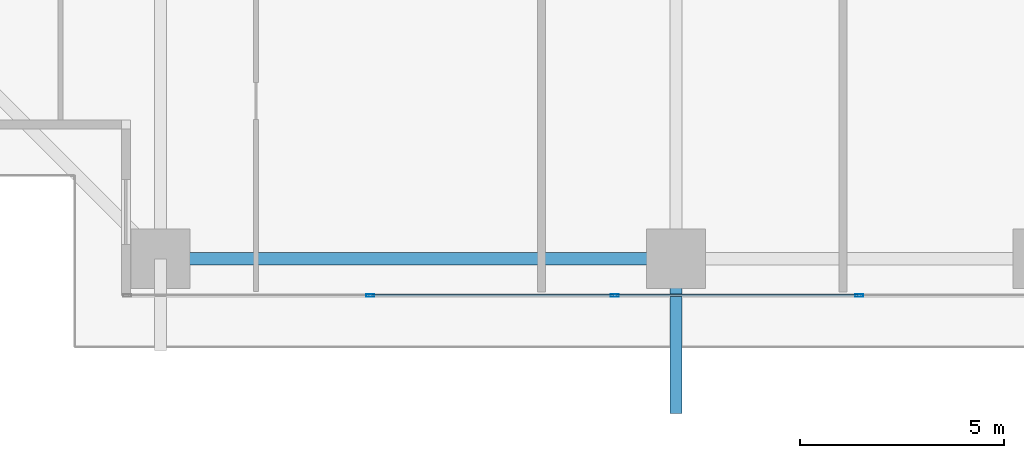
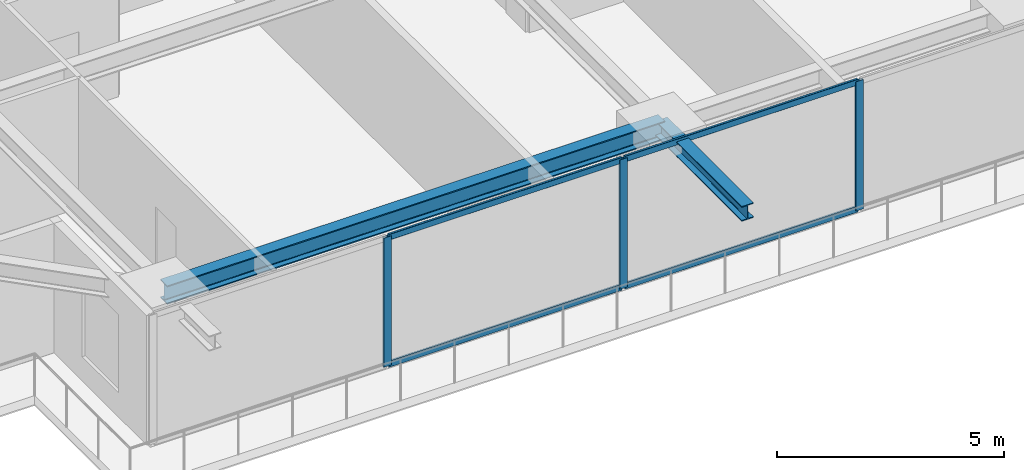
# One storey, part 4 of 36: 7 members, 2 beams, 1 element without a shape of its own.
"""IFC4 building model written with IfcOpenShell, lengths in metres."""

from ifc_helpers import new_model, si_unit, direction, frame, origin, origin_2d, place, context, subcontext, project, spatial, hollow_rectangle, i_section, extrude, source, transform, mapped, material, layer, layer_set, material_profile, profile_set, type_object, element, aggregate, save


model = new_model("IFC4")

# Units and contexts
model_context = context("Model", 3, precision=1e-05, world=origin(), true_north=direction((0.0, 1.0)))
body_context = subcontext(model_context, "Body", "Model", "MODEL_VIEW")
ifc_project = project(units=[si_unit("LENGTHUNIT", "METRE"), si_unit("AREAUNIT", "SQUARE_METRE"), si_unit("VOLUMEUNIT", "CUBIC_METRE"), si_unit("PLANEANGLEUNIT", "RADIAN"), si_unit("MASSUNIT", "GRAM", prefix="KILO")], contexts=[model_context])

# Site, building, storey
site_placement = place(None, origin())
site = spatial("IfcSite", under=ifc_project, at=site_placement, CompositionType="ELEMENT")
building_placement = place(site_placement, origin())
building = spatial("IfcBuilding", under=site, at=building_placement, Name="Serunith Strait Residences", CompositionType="ELEMENT")
storey_placement = place(building_placement, frame((0.0, 0.0, 86.699951171875)))
storey = spatial("IfcBuildingStorey", under=building, at=storey_placement, Name="L21", CompositionType="ELEMENT", Elevation=86.699951171875)

# Beams
ifc_material_1 = material(Name="Steel S355J2", Category="steel")
ifc_material_profile_1 = material_profile(ifc_material_1, i_section(OverallWidth=0.300048828125, OverallDepth=0.5, WebThickness=0.014404296875, FlangeThickness=0.028076171875, FilletRadius=0.027099609375, at=origin_2d()), Name="HEB 500")
ifc_profile_set_1 = profile_set([ifc_material_profile_1], Name="Steel S355J2")
beam_type_1 = type_object("IfcBeamType", Name="BM-HEB500", PredefinedType="BEAM", material=ifc_profile_set_1)
shared_shape_1 = source(origin(), body_context, "Body", "SweptSolid", [
    extrude(i_section(OverallWidth=0.300048828125, OverallDepth=0.5, WebThickness=0.014404296875, FlangeThickness=0.028076171875, FilletRadius=0.027099609375, at=origin_2d()), origin(), (0.0, 0.0, 1.0), 12.64990234375),
])
beam_1_placement = place(storey_placement, frame((15.25, 1.10009765625, 3.237060546875), z_axis=(1.0, 0.0, 0.0), x_axis=(0.0, 1.0, 0.0)))
element("IfcBeam", 1, at=beam_1_placement, inside=storey, type_object=beam_type_1, Name="L21 Perimeter Ring Beam 01", PredefinedType="BEAM", context=body_context, shape_type="MappedRepresentation", body=[
    mapped(shared_shape_1, transform((0.0, 0.0, 0.0), scale=1.0)),
])
ifc_material_profile_2 = material_profile(ifc_material_1, i_section(OverallWidth=0.300048828125, OverallDepth=0.39990234375, WebThickness=0.013427734375, FlangeThickness=0.02392578125, FilletRadius=0.027099609375, at=origin_2d()), Name="HEB 400")
ifc_profile_set_2 = profile_set([ifc_material_profile_2], Name="Steel S355J2")
beam_type_2 = type_object("IfcBeamType", Name="BM-HEB400", PredefinedType="BEAM", material=ifc_profile_set_2)
shared_shape_2 = source(origin(), body_context, "Body", "SweptSolid", [
    extrude(i_section(OverallWidth=0.300048828125, OverallDepth=0.39990234375, WebThickness=0.013427734375, FlangeThickness=0.02392578125, FilletRadius=0.027099609375, at=origin_2d()), origin(), (0.0, 0.0, 1.0), 3.800048828125),
])
beam_2_placement = place(storey_placement, frame((27.89990234375, 1.10009765625, 3.257080078125), z_axis=(0.0, -1.0, 0.0), x_axis=(1.0, 0.0, 0.0)))
element("IfcBeam", 2, at=beam_2_placement, inside=storey, type_object=beam_type_2, Name="L22 Cantilevered Balcony Rib TC-S2", PredefinedType="BEAM", context=body_context, shape_type="MappedRepresentation", body=[
    mapped(shared_shape_2, transform((0.0, 0.0, 0.0), scale=1.0)),
])

# Curtain wall, members
ifc_material_2 = material(Name="Pale-Champagne Anodised Aluminium", Category="aluminium")
ifc_layer = layer(ifc_material_2, 0.199951171875, Name="Pale-Champagne Anodised Aluminium")
ifc_layer_set = layer_set([ifc_layer], Name="Pale-Champagne Anodised Aluminium")
curtain_wall_type = type_object("IfcCurtainWallType", Name="CW-SYS1", PredefinedType="NOTDEFINED", material=ifc_layer_set)
curtain_wall_placement = place(storey_placement, origin())
curtain_wall = element("IfcCurtainWall", 3, at=curtain_wall_placement, inside=storey, type_object=curtain_wall_type, Name="L21 S Unitised Fritted Curtain Wall", PredefinedType="NOTDEFINED")
ifc_material_profile_3 = material_profile(ifc_material_2, hollow_rectangle(XDim=0.070068359375, YDim=0.199951171875, WallThickness=0.00390625, InnerFilletRadius=0.006103515625, OuterFilletRadius=0.010009765625, at=origin_2d()), Name="ALU 200x70x4")
ifc_profile_set_3 = profile_set([ifc_material_profile_3], Name="Pale-Champagne Anodised Aluminium")
member_type_1 = type_object("IfcMemberType", Name="CW-SYS1-MULL", PredefinedType="MULLION", material=ifc_profile_set_3)
shared_shape_3 = source(origin(), body_context, "Body", "SweptSolid", [
    extrude(hollow_rectangle(XDim=0.070068359375, YDim=0.199951171875, WallThickness=0.00390625, InnerFilletRadius=0.006103515625, OuterFilletRadius=0.010009765625, at=origin_2d()), origin(), (0.0, 0.0, 1.0), 3.47509765625),
])
member_1_placement = place(storey_placement, frame((20.39990234375, 0.199951171875, 0.0), z_axis=(0.0, 0.0, 1.0), x_axis=(0.0, 1.0, 0.0)))
member_1 = element("IfcMember", 4, at=member_1_placement, type_object=member_type_1, Name="CW-1 mullion 2", PredefinedType="MULLION", context=body_context, shape_type="MappedRepresentation", body=[
    mapped(shared_shape_3, transform((0.0, 0.0, 0.0), scale=1.0)),
])
member_2_placement = place(storey_placement, frame((26.39990234375, 0.199951171875, 0.0), z_axis=(0.0, 0.0, 1.0), x_axis=(0.0, 1.0, 0.0)))
member_2 = element("IfcMember", 5, at=member_2_placement, type_object=member_type_1, Name="CW-1 mullion 3", PredefinedType="MULLION", context=body_context, shape_type="MappedRepresentation", body=[
    mapped(shared_shape_3, transform((0.0, 0.0, 0.0), scale=1.0)),
])
member_3_placement = place(storey_placement, frame((32.39990234375, 0.199951171875, 0.0), z_axis=(0.0, 0.0, 1.0), x_axis=(0.0, 1.0, 0.0)))
member_3 = element("IfcMember", 6, at=member_3_placement, type_object=member_type_1, Name="CW-1 mullion 4", PredefinedType="MULLION", context=body_context, shape_type="MappedRepresentation", body=[
    mapped(shared_shape_3, transform((0.0, 0.0, 0.0), scale=1.0)),
])
ifc_material_profile_4 = material_profile(ifc_material_2, hollow_rectangle(XDim=0.06005859375, YDim=0.159912109375, WallThickness=0.00341796875, InnerFilletRadius=0.00537109375, OuterFilletRadius=0.0087890625, at=origin_2d()), Name="ALU 160x60x3.5")
ifc_profile_set_4 = profile_set([ifc_material_profile_4], Name="Pale-Champagne Anodised Aluminium")
member_type_2 = type_object("IfcMemberType", Name="CW-SYS1-TRAN", PredefinedType="USERDEFINED", material=ifc_profile_set_4)
shared_shape_4 = source(origin(), body_context, "Body", "SweptSolid", [
    extrude(hollow_rectangle(XDim=0.06005859375, YDim=0.159912109375, WallThickness=0.00341796875, InnerFilletRadius=0.00537109375, OuterFilletRadius=0.0087890625, at=origin_2d()), origin(), (0.0, 0.0, 1.0), 5.929931640625),
])
member_4_placement = place(storey_placement, frame((20.43505859375, 0.199951171875, 0.030029296875), z_axis=(1.0, 0.0, 0.0), x_axis=(0.0, 1.0, 0.0)))
member_4 = element("IfcMember", 7, at=member_4_placement, type_object=member_type_2, Name="CW-1 transom 2.1", ObjectType="TRANSOM", PredefinedType="USERDEFINED", context=body_context, shape_type="MappedRepresentation", body=[
    mapped(shared_shape_4, transform((0.0, 0.0, 0.0), scale=1.0)),
])
member_5_placement = place(storey_placement, frame((20.43505859375, 0.199951171875, 3.445068359375), z_axis=(1.0, 0.0, 0.0), x_axis=(0.0, 1.0, 0.0)))
member_5 = element("IfcMember", 8, at=member_5_placement, type_object=member_type_2, Name="CW-1 transom 2.2", ObjectType="TRANSOM", PredefinedType="USERDEFINED", context=body_context, shape_type="MappedRepresentation", body=[
    mapped(shared_shape_4, transform((0.0, 0.0, 0.0), scale=1.0)),
])
member_6_placement = place(storey_placement, frame((26.43505859375, 0.199951171875, 0.030029296875), z_axis=(1.0, 0.0, 0.0), x_axis=(0.0, 1.0, 0.0)))
member_6 = element("IfcMember", 9, at=member_6_placement, type_object=member_type_2, Name="CW-1 transom 3.1", ObjectType="TRANSOM", PredefinedType="USERDEFINED", context=body_context, shape_type="MappedRepresentation", body=[
    mapped(shared_shape_4, transform((0.0, 0.0, 0.0), scale=1.0)),
])
member_7_placement = place(storey_placement, frame((26.43505859375, 0.199951171875, 3.445068359375), z_axis=(1.0, 0.0, 0.0), x_axis=(0.0, 1.0, 0.0)))
member_7 = element("IfcMember", 10, at=member_7_placement, type_object=member_type_2, Name="CW-1 transom 3.2", ObjectType="TRANSOM", PredefinedType="USERDEFINED", context=body_context, shape_type="MappedRepresentation", body=[
    mapped(shared_shape_4, transform((0.0, 0.0, 0.0), scale=1.0)),
])
aggregate(curtain_wall, [member_1, member_2, member_3, member_4, member_5, member_6, member_7])

save(model, "model.ifc")
